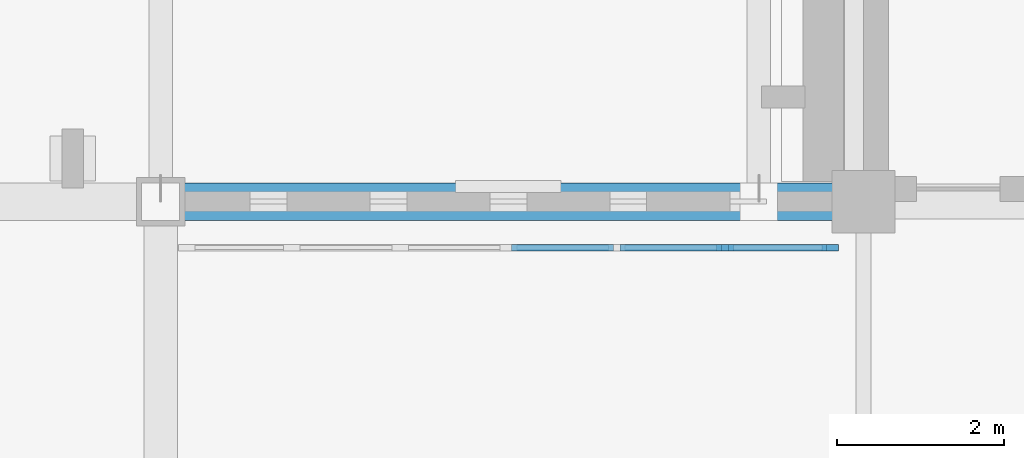
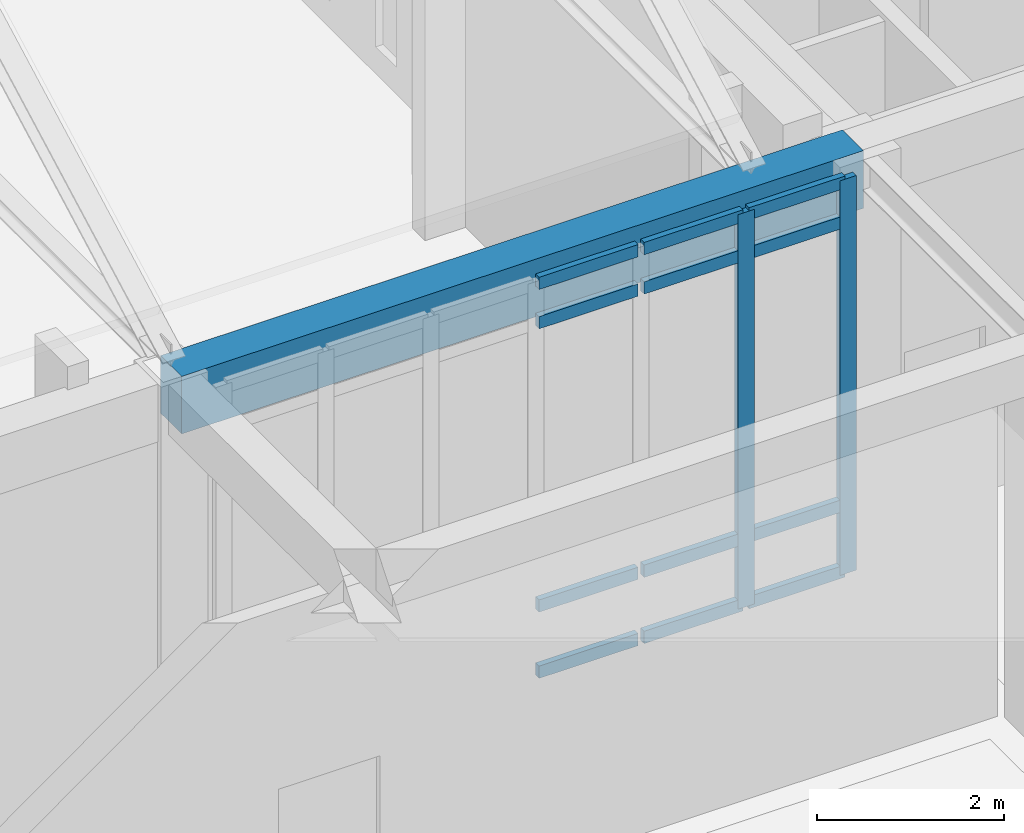
# One storey, part 37 of 143: 14 members, 1 beam, 1 element without a shape of its own.
"""IFC4 building model written with IfcOpenShell, lengths in metres."""

from ifc_helpers import new_model, si_unit, direction, frame, origin, origin_2d, place, context, subcontext, project, spatial, rectangle, extrude, material, layer, layer_set, material_profile, profile_set, type_object, element, aggregate, save


model = new_model("IFC4")

# Units and contexts
model_context = context("Model", 3, precision=1e-05, world=origin(), true_north=direction((0.0, 1.0)))
body_context = subcontext(model_context, "Body", "Model", "MODEL_VIEW")
ifc_project = project(units=[si_unit("LENGTHUNIT", "METRE"), si_unit("AREAUNIT", "SQUARE_METRE"), si_unit("VOLUMEUNIT", "CUBIC_METRE"), si_unit("PLANEANGLEUNIT", "RADIAN"), si_unit("MASSUNIT", "GRAM", prefix="KILO")], contexts=[model_context])

# Site, building, storey
site_placement = place(None, origin())
site = spatial("IfcSite", under=ifc_project, at=site_placement, CompositionType="ELEMENT")
building_placement = place(site_placement, origin())
building = spatial("IfcBuilding", under=site, at=building_placement, Name="Kveldsbrygga Polytechnic", CompositionType="ELEMENT")
storey_placement = place(building_placement, origin())
storey = spatial("IfcBuildingStorey", under=building, at=storey_placement, Name="L00", CompositionType="ELEMENT", Elevation=0.0)

# Beam
ifc_material_1 = material(Name="Concrete C35/45", Category="concrete")
ifc_material_profile_1 = material_profile(ifc_material_1, rectangle(XDim=0.449951171875, YDim=0.75, at=origin_2d()), Name="RC 450x750")
ifc_profile_set_1 = profile_set([ifc_material_profile_1], Name="Concrete C35/45")
beam_type = type_object("IfcBeamType", Name="BM-RC-450x750", PredefinedType="BEAM", material=ifc_profile_set_1)
beam_placement = place(storey_placement, frame((117.60009765625, 25.199951171875, 4.764892578125), z_axis=(1.0, 0.0, 0.0), x_axis=(0.0, 1.0, 0.0)))
element("IfcBeam", 1, at=beam_placement, inside=storey, type_object=beam_type, Name="Primary Beam BMX-L00-14to15-03", PredefinedType="BEAM", context=body_context, shape_type="SweptSolid", body=[
    extrude(rectangle(XDim=0.449951171875, YDim=0.75, at=origin_2d()), origin(), (0.0, 0.0, 1.0), 8.39990234375),
])

# Curtain wall, members
ifc_material_2 = material(Name="Anodised aluminium AW-6060", Category="aluminium")
ifc_layer = layer(ifc_material_2, 0.159912109375)
ifc_layer_set = layer_set([ifc_layer], Name="Anodised aluminium AW-6060")
curtain_wall_type = type_object("IfcCurtainWallType", Name="CW-CLER-C", PredefinedType="USERDEFINED", material=ifc_layer_set)
curtain_wall_placement = place(storey_placement, origin())
curtain_wall = element("IfcCurtainWall", 2, at=curtain_wall_placement, inside=storey, type_object=curtain_wall_type, Name="Curtain Wall CW-L00-X-14-03", ObjectType="STICK CURTAIN WALL", PredefinedType="USERDEFINED")
ifc_material_profile_2 = material_profile(ifc_material_2, rectangle(XDim=0.074951171875, YDim=0.199951171875, at=origin_2d()), Name="ALU 75x200")
ifc_profile_set_2 = profile_set([ifc_material_profile_2], Name="Anodised aluminium AW-6060")
member_type_1 = type_object("IfcMemberType", Name="CW-MUL-200", PredefinedType="MULLION", material=ifc_profile_set_2)
member_1_placement = place(storey_placement, frame((124.345947265625, 24.64990234375, 0.0), z_axis=(0.0, 0.0, 1.0), x_axis=(0.0, 1.0, 0.0)))
member_1 = element("IfcMember", 3, at=member_1_placement, type_object=member_type_1, Name="CW-03 mullion 6", PredefinedType="MULLION", context=body_context, shape_type="SweptSolid", body=[
    extrude(rectangle(XDim=0.074951171875, YDim=0.199951171875, at=origin_2d()), origin(), (0.0, 0.0, 1.0), 5.139892578125),
])
member_2_placement = place(storey_placement, frame((125.6025390625, 24.64990234375, 0.0), z_axis=(0.0, 0.0, 1.0), x_axis=(0.0, 1.0, 0.0)))
member_2 = element("IfcMember", 4, at=member_2_placement, type_object=member_type_1, Name="CW-03 mullion 7", PredefinedType="MULLION", context=body_context, shape_type="SweptSolid", body=[
    extrude(rectangle(XDim=0.074951171875, YDim=0.199951171875, at=origin_2d()), origin(), (0.0, 0.0, 1.0), 5.139892578125),
])
ifc_material_profile_3 = material_profile(ifc_material_2, rectangle(XDim=0.074951171875, YDim=0.159912109375, at=origin_2d()), Name="ALU 75x160")
ifc_profile_set_3 = profile_set([ifc_material_profile_3], Name="Anodised aluminium AW-6060")
member_type_2 = type_object("IfcMemberType", Name="CW-TRN-160", PredefinedType="USERDEFINED", material=ifc_profile_set_3)
member_3_placement = place(storey_placement, frame((121.794921875, 24.64990234375, 0.03759765625), z_axis=(1.0, 0.0, 0.0), x_axis=(0.0, 1.0, 0.0)))
member_3 = element("IfcMember", 5, at=member_3_placement, type_object=member_type_2, Name="CW-03 transom 4.1", ObjectType="TRANSOM", PredefinedType="USERDEFINED", context=body_context, shape_type="SweptSolid", body=[
    extrude(rectangle(XDim=0.074951171875, YDim=0.159912109375, at=origin_2d()), origin(), (0.0, 0.0, 1.0), 1.21923828125),
])
member_4_placement = place(storey_placement, frame((121.794921875, 24.64990234375, 0.89990234375), z_axis=(1.0, 0.0, 0.0), x_axis=(0.0, 1.0, 0.0)))
member_4 = element("IfcMember", 6, at=member_4_placement, type_object=member_type_2, Name="CW-03 transom 4.2", ObjectType="TRANSOM", PredefinedType="USERDEFINED", context=body_context, shape_type="SweptSolid", body=[
    extrude(rectangle(XDim=0.074951171875, YDim=0.159912109375, at=origin_2d()), origin(), (0.0, 0.0, 1.0), 1.21923828125),
])
member_5_placement = place(storey_placement, frame((121.794921875, 24.64990234375, 4.590087890625), z_axis=(1.0, 0.0, 0.0), x_axis=(0.0, 1.0, 0.0)))
member_5 = element("IfcMember", 7, at=member_5_placement, type_object=member_type_2, Name="CW-03 transom 4.3", ObjectType="TRANSOM", PredefinedType="USERDEFINED", context=body_context, shape_type="SweptSolid", body=[
    extrude(rectangle(XDim=0.074951171875, YDim=0.159912109375, at=origin_2d()), origin(), (0.0, 0.0, 1.0), 1.21923828125),
])
member_6_placement = place(storey_placement, frame((121.794921875, 24.64990234375, 5.1025390625), z_axis=(1.0, 0.0, 0.0), x_axis=(0.0, 1.0, 0.0)))
member_6 = element("IfcMember", 8, at=member_6_placement, type_object=member_type_2, Name="CW-03 transom 4.4", ObjectType="TRANSOM", PredefinedType="USERDEFINED", context=body_context, shape_type="SweptSolid", body=[
    extrude(rectangle(XDim=0.074951171875, YDim=0.159912109375, at=origin_2d()), origin(), (0.0, 0.0, 1.0), 1.21923828125),
])
member_7_placement = place(storey_placement, frame((123.089111328125, 24.64990234375, 0.03759765625), z_axis=(1.0, 0.0, 0.0), x_axis=(0.0, 1.0, 0.0)))
member_7 = element("IfcMember", 9, at=member_7_placement, type_object=member_type_2, Name="CW-03 transom 5.1", ObjectType="TRANSOM", PredefinedType="USERDEFINED", context=body_context, shape_type="SweptSolid", body=[
    extrude(rectangle(XDim=0.074951171875, YDim=0.159912109375, at=origin_2d()), origin(), (0.0, 0.0, 1.0), 1.21923828125),
])
member_8_placement = place(storey_placement, frame((123.089111328125, 24.64990234375, 0.89990234375), z_axis=(1.0, 0.0, 0.0), x_axis=(0.0, 1.0, 0.0)))
member_8 = element("IfcMember", 10, at=member_8_placement, type_object=member_type_2, Name="CW-03 transom 5.2", ObjectType="TRANSOM", PredefinedType="USERDEFINED", context=body_context, shape_type="SweptSolid", body=[
    extrude(rectangle(XDim=0.074951171875, YDim=0.159912109375, at=origin_2d()), origin(), (0.0, 0.0, 1.0), 1.21923828125),
])
member_9_placement = place(storey_placement, frame((123.089111328125, 24.64990234375, 4.590087890625), z_axis=(1.0, 0.0, 0.0), x_axis=(0.0, 1.0, 0.0)))
member_9 = element("IfcMember", 11, at=member_9_placement, type_object=member_type_2, Name="CW-03 transom 5.3", ObjectType="TRANSOM", PredefinedType="USERDEFINED", context=body_context, shape_type="SweptSolid", body=[
    extrude(rectangle(XDim=0.074951171875, YDim=0.159912109375, at=origin_2d()), origin(), (0.0, 0.0, 1.0), 1.21923828125),
])
member_10_placement = place(storey_placement, frame((123.089111328125, 24.64990234375, 5.1025390625), z_axis=(1.0, 0.0, 0.0), x_axis=(0.0, 1.0, 0.0)))
member_10 = element("IfcMember", 12, at=member_10_placement, type_object=member_type_2, Name="CW-03 transom 5.4", ObjectType="TRANSOM", PredefinedType="USERDEFINED", context=body_context, shape_type="SweptSolid", body=[
    extrude(rectangle(XDim=0.074951171875, YDim=0.159912109375, at=origin_2d()), origin(), (0.0, 0.0, 1.0), 1.21923828125),
])
member_11_placement = place(storey_placement, frame((124.38330078125, 24.64990234375, 0.03759765625), z_axis=(1.0, 0.0, 0.0), x_axis=(0.0, 1.0, 0.0)))
member_11 = element("IfcMember", 13, at=member_11_placement, type_object=member_type_2, Name="CW-03 transom 6.1", ObjectType="TRANSOM", PredefinedType="USERDEFINED", context=body_context, shape_type="SweptSolid", body=[
    extrude(rectangle(XDim=0.074951171875, YDim=0.159912109375, at=origin_2d()), origin(), (0.0, 0.0, 1.0), 1.181640625),
])
member_12_placement = place(storey_placement, frame((124.38330078125, 24.64990234375, 0.89990234375), z_axis=(1.0, 0.0, 0.0), x_axis=(0.0, 1.0, 0.0)))
member_12 = element("IfcMember", 14, at=member_12_placement, type_object=member_type_2, Name="CW-03 transom 6.2", ObjectType="TRANSOM", PredefinedType="USERDEFINED", context=body_context, shape_type="SweptSolid", body=[
    extrude(rectangle(XDim=0.074951171875, YDim=0.159912109375, at=origin_2d()), origin(), (0.0, 0.0, 1.0), 1.181640625),
])
member_13_placement = place(storey_placement, frame((124.38330078125, 24.64990234375, 4.590087890625), z_axis=(1.0, 0.0, 0.0), x_axis=(0.0, 1.0, 0.0)))
member_13 = element("IfcMember", 15, at=member_13_placement, type_object=member_type_2, Name="CW-03 transom 6.3", ObjectType="TRANSOM", PredefinedType="USERDEFINED", context=body_context, shape_type="SweptSolid", body=[
    extrude(rectangle(XDim=0.074951171875, YDim=0.159912109375, at=origin_2d()), origin(), (0.0, 0.0, 1.0), 1.181640625),
])
member_14_placement = place(storey_placement, frame((124.38330078125, 24.64990234375, 5.1025390625), z_axis=(1.0, 0.0, 0.0), x_axis=(0.0, 1.0, 0.0)))
member_14 = element("IfcMember", 16, at=member_14_placement, type_object=member_type_2, Name="CW-03 transom 6.4", ObjectType="TRANSOM", PredefinedType="USERDEFINED", context=body_context, shape_type="SweptSolid", body=[
    extrude(rectangle(XDim=0.074951171875, YDim=0.159912109375, at=origin_2d()), origin(), (0.0, 0.0, 1.0), 1.181640625),
])
aggregate(curtain_wall, [member_1, member_2, member_3, member_4, member_5, member_6, member_7, member_8, member_9, member_10, member_11, member_12, member_13, member_14])

save(model, "model.ifc")
